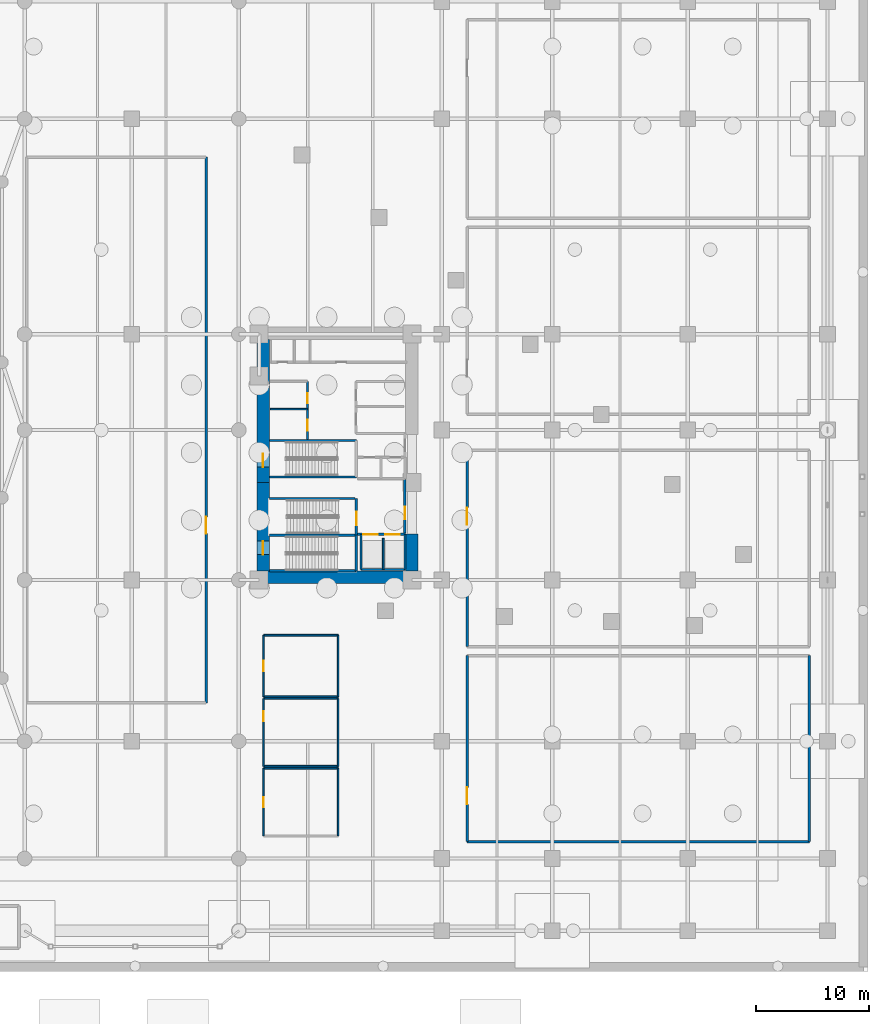
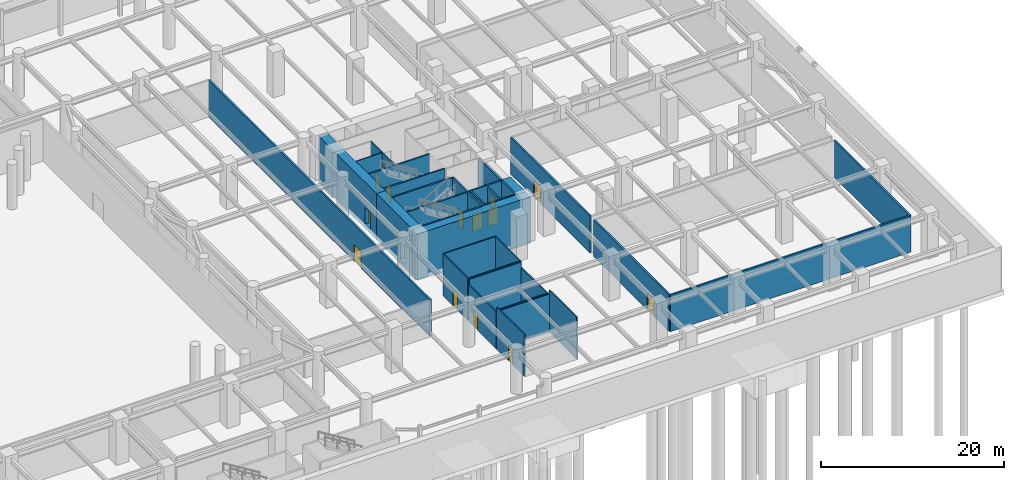
# One storey, part 20 of 37: 35 walls, 14 doors, 14 openings.
"""IFC4 building model written with IfcOpenShell, lengths in metres."""

from ifc_helpers import new_model, si_unit, direction, frame, frame_2d, origin, place, context, subcontext, project, spatial, rectangle, extrude, material, layer, layer_set, type_object, element, fill, save


model = new_model("IFC4")

# Units and contexts
model_context = context("Model", 3, precision=1e-05, world=origin(), true_north=direction((0.0, 1.0)))
body_context = subcontext(model_context, "Body", "Model", "MODEL_VIEW")
ifc_project = project(units=[si_unit("LENGTHUNIT", "METRE"), si_unit("AREAUNIT", "SQUARE_METRE"), si_unit("VOLUMEUNIT", "CUBIC_METRE"), si_unit("PLANEANGLEUNIT", "RADIAN"), si_unit("MASSUNIT", "GRAM", prefix="KILO")], contexts=[model_context])

# Site, building, storey
site_placement = place(None, origin())
site = spatial("IfcSite", under=ifc_project, at=site_placement, CompositionType="ELEMENT")
building_placement = place(site_placement, origin())
building = spatial("IfcBuilding", under=site, at=building_placement, Name="Narakoshi Arena Tower", CompositionType="ELEMENT")
storey_placement = place(building_placement, frame((0.0, 0.0, -6.0)))
storey = spatial("IfcBuildingStorey", under=building, at=storey_placement, Name="B01", CompositionType="ELEMENT", Elevation=-6.0)

# Wall, opening, door
ifc_material_1 = material(Name="Concrete C40/50", Category="concrete")
ifc_layer_1 = layer(ifc_material_1, 0.219970703125)
ifc_layer_set_1 = layer_set([ifc_layer_1], Name="Concrete C40/50")
wall_type_1 = type_object("IfcWallType", Name="WL-COMP-220", PredefinedType="SOLIDWALL", material=ifc_layer_set_1)
wall_1_placement = place(storey_placement, frame((67.300048828125, 23.800048828125, 0.0), z_axis=(0.0, 0.0, 1.0), x_axis=(0.0, 1.0, 0.0)))
wall_1 = element("IfcWall", 1, at=wall_1_placement, inside=storey, type_object=wall_type_1, Name="B01 Sub-Concourse MEP Equipment Plant Room Wall E", PredefinedType="SOLIDWALL", context=body_context, shape_type="SweptSolid", body=[
    extrude(rectangle(XDim=48.39990234375, YDim=0.219970703125, at=frame_2d((24.199951171875, 0.0))), origin(), (0.0, 0.0, 1.0), 4.885009765625),
])
opening_1_placement = place(wall_1_placement, frame((15.008056640625, 0.0, 0.0)))
opening_1 = element("IfcOpeningElement", 2, at=opening_1_placement, cuts=wall_1, Name="Opening D-09", PredefinedType="OPENING", context=body_context, shape_type="SweptSolid", body=[
    extrude(rectangle(XDim=1.5, YDim=2.25, at=frame_2d((0.75, 1.125))), frame((0.0, 0.119873046875, 0.0), z_axis=(0.0, -1.0, 0.0), x_axis=(1.0, 0.0, 0.0)), (0.0, 0.0, 1.0), 0.239990234375),
])
ifc_material_2 = material(Name="Painted galvanized steel", Category="steel")
door_type_1 = type_object("IfcDoorType", Name="DR-PLT-1500", OperationType="DOUBLE_DOOR_SINGLE_SWING", PredefinedType="DOOR", material=ifc_material_2)
door_1_placement = place(opening_1_placement, frame((1.5, 0.0, 0.0), z_axis=(0.0, 0.0, 1.0), x_axis=(-1.0, 0.0, 0.0)))
door_1 = element("IfcDoor", 3, at=door_1_placement, inside=storey, type_object=door_type_1, Name="DR-B01-028", OperationType="DOUBLE_DOOR_SINGLE_SWING", OverallHeight=2.25, OverallWidth=1.5, PredefinedType="DOOR", context=body_context, shape_type="SweptSolid", body=[
    extrude(rectangle(XDim=1.5, YDim=2.25, at=frame_2d((0.75, 1.125))), frame((0.0, 0.02490234375, 0.0), z_axis=(0.0, -1.0, 0.0), x_axis=(1.0, 0.0, 0.0)), (0.0, 0.0, 1.0), 0.050048828125),
])
fill(opening_1, door_1)

# Walls
wall_2_placement = place(storey_placement, frame((90.449951171875, 11.5, 0.0), z_axis=(0.0, 0.0, 1.0), x_axis=(1.0, 0.0, 0.0)))
element("IfcWall", 4, at=wall_2_placement, inside=storey, type_object=wall_type_1, Name="B01 Central Chiller and Cooling Plant Room Wall S", PredefinedType="SOLIDWALL", context=body_context, shape_type="SweptSolid", body=[
    extrude(rectangle(XDim=30.35009765625, YDim=0.219970703125, at=frame_2d((15.175048828125, 0.0))), origin(), (0.0, 0.0, 1.0), 4.885009765625),
])
wall_3_placement = place(storey_placement, frame((120.800048828125, 11.5, 0.0), z_axis=(0.0, 0.0, 1.0), x_axis=(0.0, 1.0, 0.0)))
element("IfcWall", 5, at=wall_3_placement, inside=storey, type_object=wall_type_1, Name="B01 Central Chiller and Cooling Plant Room Wall E", PredefinedType="SOLIDWALL", context=body_context, shape_type="SweptSolid", body=[
    extrude(rectangle(XDim=16.5, YDim=0.219970703125, at=frame_2d((8.25, 0.0))), origin(), (0.0, 0.0, 1.0), 4.885009765625),
])

# Wall, opening, door
wall_4_placement = place(storey_placement, frame((90.449951171875, 28.0, 0.0), z_axis=(0.0, 0.0, 1.0), x_axis=(0.0, -1.0, 0.0)))
wall_4 = element("IfcWall", 6, at=wall_4_placement, inside=storey, type_object=wall_type_1, Name="B01 Central Chiller and Cooling Plant Room Wall W", PredefinedType="SOLIDWALL", context=body_context, shape_type="SweptSolid", body=[
    extrude(rectangle(XDim=16.5, YDim=0.219970703125, at=frame_2d((8.25, 0.0))), origin(), (0.0, 0.0, 1.0), 4.885009765625),
])
opening_2_placement = place(wall_4_placement, frame((11.699951171875, 0.0, 0.0)))
opening_2 = element("IfcOpeningElement", 7, at=opening_2_placement, cuts=wall_4, Name="Opening D-09", PredefinedType="OPENING", context=body_context, shape_type="SweptSolid", body=[
    extrude(rectangle(XDim=1.5, YDim=2.25, at=frame_2d((0.75, 1.125))), frame((0.0, 0.119873046875, 0.0), z_axis=(0.0, -1.0, 0.0), x_axis=(1.0, 0.0, 0.0)), (0.0, 0.0, 1.0), 0.239990234375),
])
door_2_placement = place(opening_2_placement, frame((1.5, 0.0, 0.0), z_axis=(0.0, 0.0, 1.0), x_axis=(-1.0, 0.0, 0.0)))
door_2 = element("IfcDoor", 8, at=door_2_placement, inside=storey, type_object=door_type_1, Name="DR-B01-029", OperationType="DOUBLE_DOOR_SINGLE_SWING", OverallHeight=2.25, OverallWidth=1.5, PredefinedType="DOOR", context=body_context, shape_type="SweptSolid", body=[
    extrude(rectangle(XDim=1.5, YDim=2.25, at=frame_2d((0.75, 1.125))), frame((0.0, 0.02490234375, 0.0), z_axis=(0.0, -1.0, 0.0), x_axis=(1.0, 0.0, 0.0)), (0.0, 0.0, 1.0), 0.050048828125),
])
fill(opening_2, door_2)

wall_5_placement = place(storey_placement, frame((90.449951171875, 46.199951171875, 0.0), z_axis=(0.0, 0.0, 1.0), x_axis=(0.0, -1.0, 0.0)))
wall_5 = element("IfcWall", 9, at=wall_5_placement, inside=storey, type_object=wall_type_1, Name="B01 Fire and Domestic Water Tank Pump Room Wall W", PredefinedType="SOLIDWALL", context=body_context, shape_type="SweptSolid", body=[
    extrude(rectangle(XDim=17.39990234375, YDim=0.219970703125, at=frame_2d((8.699951171875, 0.0))), origin(), (0.0, 0.0, 1.0), 4.885009765625),
])
opening_3_placement = place(wall_5_placement, frame((5.087890625, 0.0, 0.0)))
opening_3 = element("IfcOpeningElement", 10, at=opening_3_placement, cuts=wall_5, Name="Opening D-09", PredefinedType="OPENING", context=body_context, shape_type="SweptSolid", body=[
    extrude(rectangle(XDim=1.5, YDim=2.25, at=frame_2d((0.75, 1.125))), frame((0.0, 0.119873046875, 0.0), z_axis=(0.0, -1.0, 0.0), x_axis=(1.0, 0.0, 0.0)), (0.0, 0.0, 1.0), 0.239990234375),
])
door_3_placement = place(opening_3_placement, frame((1.5, 0.0, 0.0), z_axis=(0.0, 0.0, 1.0), x_axis=(-1.0, 0.0, 0.0)))
door_3 = element("IfcDoor", 11, at=door_3_placement, inside=storey, type_object=door_type_1, Name="DR-B01-030", OperationType="DOUBLE_DOOR_SINGLE_SWING", OverallHeight=2.25, OverallWidth=1.5, PredefinedType="DOOR", context=body_context, shape_type="SweptSolid", body=[
    extrude(rectangle(XDim=1.5, YDim=2.25, at=frame_2d((0.75, 1.125))), frame((0.0, 0.02490234375, 0.0), z_axis=(0.0, -1.0, 0.0), x_axis=(1.0, 0.0, 0.0)), (0.0, 0.0, 1.0), 0.050048828125),
])
fill(opening_3, door_3)

ifc_material_3 = material(Name="Concrete C60/75", Category="concrete")
ifc_layer_2 = layer(ifc_material_3, 1.10009765625)
ifc_layer_set_2 = layer_set([ifc_layer_2], Name="Concrete C60/75")
wall_type_2 = type_object("IfcWallType", Name="WL-CORE-1100", PredefinedType="SHEAR", material=ifc_layer_set_2)
wall_6_placement = place(storey_placement, frame((72.35009765625, 35.5, -0.60009765625), z_axis=(0.0, 0.0, 1.0), x_axis=(0.0, 1.0, 0.0)))
wall_6 = element("IfcWall", 12, at=wall_6_placement, inside=storey, type_object=wall_type_2, Name="B01 Central Core Shear Wall CW-APX-W", PredefinedType="SHEAR", context=body_context, shape_type="SweptSolid", body=[
    extrude(rectangle(XDim=7.85009765625, YDim=1.10009765625, at=frame_2d((3.925048828125, 0.0))), origin(), (0.0, 0.0, 1.0), 6.2001953125),
])
opening_4_placement = place(wall_6_placement, frame((1.449951171875, 0.0, 0.60009765625)))
opening_4 = element("IfcOpeningElement", 13, at=opening_4_placement, cuts=wall_6, Name="Opening D-03", PredefinedType="OPENING", context=body_context, shape_type="SweptSolid", body=[
    extrude(rectangle(XDim=1.199951171875, YDim=2.199951171875, at=frame_2d((0.60009765625, 1.10009765625))), frame((0.0, 0.56005859375, 0.0), z_axis=(0.0, -1.0, 0.0), x_axis=(1.0, 0.0, 0.0)), (0.0, 0.0, 1.0), 1.1201171875),
])
door_type_2 = type_object("IfcDoorType", Name="DR-STR-1200", OperationType="NOTDEFINED", PredefinedType="USERDEFINED", material=ifc_material_2)
door_4_placement = place(opening_4_placement, frame((1.199951171875, 0.0, 0.0), z_axis=(0.0, 0.0, 1.0), x_axis=(-1.0, 0.0, 0.0)))
door_4 = element("IfcDoor", 14, at=door_4_placement, inside=storey, type_object=door_type_2, Name="DR-B01-001", ObjectType="EXITDOOR", OperationType="SINGLE_SWING_LEFT", OverallHeight=2.199951171875, OverallWidth=1.199951171875, PredefinedType="USERDEFINED", context=body_context, shape_type="SweptSolid", body=[
    extrude(rectangle(XDim=1.199951171875, YDim=2.199951171875, at=frame_2d((0.60009765625, 1.10009765625))), frame((0.0, 0.02490234375, 0.0), z_axis=(0.0, -1.0, 0.0), x_axis=(1.0, 0.0, 0.0)), (0.0, 0.0, 1.0), 0.050048828125),
])
fill(opening_4, door_4)

# Walls
wall_7_placement = place(storey_placement, frame((71.800048828125, 34.949951171875, -0.60009765625), z_axis=(0.0, 0.0, 1.0), x_axis=(1.0, 0.0, 0.0)))
element("IfcWall", 15, at=wall_7_placement, inside=storey, type_object=wall_type_2, Name="B01 Central Core Shear Wall CW-APX-S", PredefinedType="SHEAR", context=body_context, shape_type="SweptSolid", body=[
    extrude(rectangle(XDim=14.300048828125, YDim=1.10009765625, at=frame_2d((7.14990234375, 0.0))), origin(), (0.0, 0.0, 1.0), 6.2001953125),
])
wall_8_placement = place(storey_placement, frame((85.550048828125, 35.5, -0.60009765625), z_axis=(0.0, 0.0, 1.0), x_axis=(0.0, 1.0, 0.0)))
element("IfcWall", 16, at=wall_8_placement, inside=storey, type_object=wall_type_2, Name="B01 Central Core Shear Wall CW-APX-E", PredefinedType="SHEAR", context=body_context, shape_type="SweptSolid", body=[
    extrude(rectangle(XDim=3.300048828125, YDim=1.10009765625, at=frame_2d((1.64990234375, 0.0))), origin(), (0.0, 0.0, 1.0), 6.2001953125),
])

# Wall, opening, door
wall_9_placement = place(storey_placement, frame((72.35009765625, 43.35009765625, -0.60009765625), z_axis=(0.0, 0.0, 1.0), x_axis=(0.0, 1.0, 0.0)))
wall_9 = element("IfcWall", 17, at=wall_9_placement, inside=storey, type_object=wall_type_2, Name="B01 Main Core Shear Wall CW-MN-W", PredefinedType="SHEAR", context=body_context, shape_type="SweptSolid", body=[
    extrude(rectangle(XDim=12.699951171875, YDim=1.10009765625, at=frame_2d((6.35009765625, 0.0))), origin(), (0.0, 0.0, 1.0), 6.2001953125),
])
opening_5_placement = place(wall_9_placement, frame((1.35009765625, 0.0, 0.60009765625)))
opening_5 = element("IfcOpeningElement", 18, at=opening_5_placement, cuts=wall_9, Name="Opening D-03", PredefinedType="OPENING", context=body_context, shape_type="SweptSolid", body=[
    extrude(rectangle(XDim=1.199951171875, YDim=2.199951171875, at=frame_2d((0.60009765625, 1.10009765625))), frame((0.0, 0.56005859375, 0.0), z_axis=(0.0, -1.0, 0.0), x_axis=(1.0, 0.0, 0.0)), (0.0, 0.0, 1.0), 1.1201171875),
])
door_5_placement = place(opening_5_placement, frame((1.199951171875, 0.0, 0.0), z_axis=(0.0, 0.0, 1.0), x_axis=(-1.0, 0.0, 0.0)))
door_5 = element("IfcDoor", 19, at=door_5_placement, inside=storey, type_object=door_type_2, Name="DR-B01-006", ObjectType="EXITDOOR", OperationType="SINGLE_SWING_LEFT", OverallHeight=2.199951171875, OverallWidth=1.199951171875, PredefinedType="USERDEFINED", context=body_context, shape_type="SweptSolid", body=[
    extrude(rectangle(XDim=1.199951171875, YDim=2.199951171875, at=frame_2d((0.60009765625, 1.10009765625))), frame((0.0, 0.02490234375, 0.0), z_axis=(0.0, -1.0, 0.0), x_axis=(1.0, 0.0, 0.0)), (0.0, 0.0, 1.0), 0.050048828125),
])
fill(opening_5, door_5)

# Walls
ifc_material_4 = material(Name="Gypsum plasterboard fire-rated partition")
ifc_layer_3 = layer(ifc_material_4, 0.125)
ifc_layer_set_3 = layer_set([ifc_layer_3], Name="Gypsum plasterboard fire-rated partition")
wall_type_3 = type_object("IfcWallType", Name="WL-PART-125", PredefinedType="PARTITIONING", material=ifc_layer_set_3)
wall_10_placement = place(storey_placement, frame((73.0, 49.85009765625, 0.0), z_axis=(0.0, 0.0, 1.0), x_axis=(1.0, 0.0, 0.0)))
element("IfcWall", 20, at=wall_10_placement, inside=storey, type_object=wall_type_3, Name="B01 Core Wall RCL-LR-D0", PredefinedType="PARTITIONING", context=body_context, shape_type="SweptSolid", body=[
    extrude(rectangle(XDim=3.280029296875, YDim=0.125, at=frame_2d((1.64013671875, 0.0))), origin(), (0.0, 0.0, 1.0), 5.60009765625),
])
ifc_layer_4 = layer(ifc_material_1, 0.280029296875)
ifc_layer_set_4 = layer_set([ifc_layer_4], Name="Concrete C40/50")
wall_type_4 = type_object("IfcWallType", Name="WL-RISER-280", PredefinedType="PLUMBINGWALL", material=ifc_layer_set_4)
wall_11_placement = place(storey_placement, frame((83.0, 35.64990234375, 0.0), z_axis=(0.0, 0.0, 1.0), x_axis=(0.0, 1.0, 0.0)))
element("IfcWall", 21, at=wall_11_placement, inside=storey, type_object=wall_type_4, Name="B01 Core Wall FF-DIV", PredefinedType="PLUMBINGWALL", context=body_context, shape_type="SweptSolid", body=[
    extrude(rectangle(XDim=2.75, YDim=0.159912109375, at=frame_2d((1.375, 0.0))), origin(), (0.0, 0.0, 1.0), 5.60009765625),
])
ifc_material_5 = material(Name="Concrete C50/60", Category="concrete")
ifc_layer_5 = layer(ifc_material_5, 0.35009765625)
ifc_layer_set_5 = layer_set([ifc_layer_5], Name="Concrete C50/60")
wall_type_5 = type_object("IfcWallType", Name="WL-SHAFT-350", PredefinedType="SOLIDWALL", material=ifc_layer_set_5)
for number, where, z_axis, x_axis, name in (
    (22, (72.919921875, 35.52001953125, -0.60009765625), (0.0, 0.0, 1.0), (1.0, 0.0, 0.0), "B01 Core Wall ST1-S"),
    (23, (72.919921875, 38.675048828125, -0.60009765625), (0.0, 0.0, 1.0), (1.0, 0.0, 0.0), "B01 Core Wall ST12-DIV"),
):
    element("IfcWall", number, at=place(storey_placement, frame(where, z_axis=z_axis, x_axis=x_axis)), inside=storey, type_object=wall_type_5, Name=name, PredefinedType="SOLIDWALL", context=body_context, shape_type="SweptSolid", body=[
        extrude(rectangle(XDim=7.7001953125, YDim=0.199951171875, at=frame_2d((3.85009765625, 0.0))), origin(), (0.0, 0.0, 1.0), 6.2001953125),
    ])
wall_12_placement = place(storey_placement, frame((80.6201171875, 35.52001953125, -0.60009765625), z_axis=(0.0, 0.0, 1.0), x_axis=(0.0, 1.0, 0.0)))
element("IfcWall", 24, at=wall_12_placement, inside=storey, type_object=wall_type_5, Name="B01 Core Wall ST1-E", PredefinedType="SOLIDWALL", context=body_context, shape_type="SweptSolid", body=[
    extrude(rectangle(XDim=3.155029296875, YDim=0.199951171875, at=frame_2d((1.57763671875, 0.0))), origin(), (0.0, 0.0, 1.0), 6.2001953125),
])

# Wall, opening, door
wall_13_placement = place(storey_placement, frame((80.6201171875, 38.675048828125, -0.60009765625), z_axis=(0.0, 0.0, 1.0), x_axis=(0.0, 1.0, 0.0)))
wall_13 = element("IfcWall", 25, at=wall_13_placement, inside=storey, type_object=wall_type_5, Name="B01 Core Wall ST2-E", PredefinedType="SOLIDWALL", context=body_context, shape_type="SweptSolid", body=[
    extrude(rectangle(XDim=3.244873046875, YDim=0.199951171875, at=frame_2d((1.62255859375, 0.0))), origin(), (0.0, 0.0, 1.0), 6.2001953125),
])
opening_6_placement = place(wall_13_placement, frame((0.89990234375, 0.0, 0.60009765625)))
opening_6 = element("IfcOpeningElement", 26, at=opening_6_placement, cuts=wall_13, Name="Opening D-03", PredefinedType="OPENING", context=body_context, shape_type="SweptSolid", body=[
    extrude(rectangle(XDim=1.199951171875, YDim=2.199951171875, at=frame_2d((0.60009765625, 1.10009765625))), frame((0.0, 0.10986328125, 0.0), z_axis=(0.0, -1.0, 0.0), x_axis=(1.0, 0.0, 0.0)), (0.0, 0.0, 1.0), 0.219970703125),
])
door_6_placement = place(opening_6_placement, origin())
door_6 = element("IfcDoor", 27, at=door_6_placement, inside=storey, type_object=door_type_2, Name="DR-B01-002", ObjectType="EXITDOOR", OperationType="SINGLE_SWING_RIGHT", OverallHeight=2.199951171875, OverallWidth=1.199951171875, PredefinedType="USERDEFINED", context=body_context, shape_type="SweptSolid", body=[
    extrude(rectangle(XDim=1.199951171875, YDim=2.199951171875, at=frame_2d((0.60009765625, 1.10009765625))), frame((0.0, 0.02490234375, 0.0), z_axis=(0.0, -1.0, 0.0), x_axis=(1.0, 0.0, 0.0)), (0.0, 0.0, 1.0), 0.050048828125),
])
fill(opening_6, door_6)

# Wall, openings, doors
wall_14_placement = place(storey_placement, frame((80.719970703125, 38.75, 0.0), z_axis=(0.0, 0.0, 1.0), x_axis=(1.0, 0.0, 0.0)))
wall_14 = element("IfcWall", 28, at=wall_14_placement, inside=storey, type_object=wall_type_5, Name="B01 Core Wall FF-N", PredefinedType="SOLIDWALL", context=body_context, shape_type="SweptSolid", body=[
    extrude(rectangle(XDim=4.260009765625, YDim=0.199951171875, at=frame_2d((2.1298828125, 0.0))), origin(), (0.0, 0.0, 1.0), 5.60009765625),
])
opening_7_placement = place(wall_14_placement, frame((0.5, 0.0, 0.0)))
opening_7 = element("IfcOpeningElement", 29, at=opening_7_placement, cuts=wall_14, Name="Opening LD-02", PredefinedType="OPENING", context=body_context, shape_type="SweptSolid", body=[
    extrude(rectangle(XDim=1.300048828125, YDim=2.300048828125, at=frame_2d((0.64990234375, 1.14990234375))), frame((0.0, 0.10986328125, 0.0), z_axis=(0.0, -1.0, 0.0), x_axis=(1.0, 0.0, 0.0)), (0.0, 0.0, 1.0), 0.219970703125),
])
opening_8_placement = place(wall_14_placement, frame((2.449951171875, 0.0, 0.0)))
opening_8 = element("IfcOpeningElement", 30, at=opening_8_placement, cuts=wall_14, Name="Opening LD-02", PredefinedType="OPENING", context=body_context, shape_type="SweptSolid", body=[
    extrude(rectangle(XDim=1.300048828125, YDim=2.300048828125, at=frame_2d((0.64990234375, 1.14990234375))), frame((0.0, 0.10986328125, 0.0), z_axis=(0.0, -1.0, 0.0), x_axis=(1.0, 0.0, 0.0)), (0.0, 0.0, 1.0), 0.219970703125),
])
ifc_material_6 = material(Name="Brushed bronze stainless steel", Category="steel")
door_type_3 = type_object("IfcDoorType", Name="DR-LFT-1300", OperationType="DOUBLE_DOOR_SLIDING", PredefinedType="DOOR", material=ifc_material_6)
door_7_placement = place(opening_7_placement, origin())
door_7 = element("IfcDoor", 31, at=door_7_placement, inside=storey, type_object=door_type_3, Name="DR-B01-003", OperationType="DOUBLE_DOOR_SLIDING", OverallHeight=2.300048828125, OverallWidth=1.300048828125, PredefinedType="DOOR", context=body_context, shape_type="SweptSolid", body=[
    extrude(rectangle(XDim=1.300048828125, YDim=2.300048828125, at=frame_2d((0.64990234375, 1.14990234375))), frame((0.0, 0.02490234375, 0.0), z_axis=(0.0, -1.0, 0.0), x_axis=(1.0, 0.0, 0.0)), (0.0, 0.0, 1.0), 0.050048828125),
])
fill(opening_7, door_7)
door_8_placement = place(opening_8_placement, origin())
door_8 = element("IfcDoor", 32, at=door_8_placement, inside=storey, type_object=door_type_3, Name="DR-B01-004", OperationType="DOUBLE_DOOR_SLIDING", OverallHeight=2.300048828125, OverallWidth=1.300048828125, PredefinedType="DOOR", context=body_context, shape_type="SweptSolid", body=[
    extrude(rectangle(XDim=1.300048828125, YDim=2.300048828125, at=frame_2d((0.64990234375, 1.14990234375))), frame((0.0, 0.02490234375, 0.0), z_axis=(0.0, -1.0, 0.0), x_axis=(1.0, 0.0, 0.0)), (0.0, 0.0, 1.0), 0.050048828125),
])
fill(opening_8, door_8)

# Walls
for number, where, z_axis, x_axis, name in (
    (33, (84.949951171875, 35.64990234375, 0.0), (0.0, 0.0, 1.0), (0.0, 1.0, 0.0), "B01 Core Wall FF-E"),
    (34, (81.02001953125, 35.64990234375, 0.0), (0.0, 0.0, 1.0), (0.0, 1.0, 0.0), "B01 Core Wall FF-W"),
):
    element("IfcWall", number, at=place(storey_placement, frame(where, z_axis=z_axis, x_axis=x_axis)), inside=storey, type_object=wall_type_5, Name=name, PredefinedType="SOLIDWALL", context=body_context, shape_type="SweptSolid", body=[
        extrude(rectangle(XDim=3.10009765625, YDim=0.179931640625, at=frame_2d((1.550048828125, 0.0))), origin(), (0.0, 0.0, 1.0), 5.60009765625),
    ])
wall_15_placement = place(storey_placement, frame((81.02001953125, 35.64990234375, 0.0), z_axis=(0.0, 0.0, 1.0), x_axis=(1.0, 0.0, 0.0)))
element("IfcWall", 35, at=wall_15_placement, inside=storey, type_object=wall_type_5, Name="B01 Core Wall FF-S", PredefinedType="SOLIDWALL", context=body_context, shape_type="SweptSolid", body=[
    extrude(rectangle(XDim=3.929931640625, YDim=0.179931640625, at=frame_2d((1.96484375, 0.0))), origin(), (0.0, 0.0, 1.0), 5.60009765625),
])

# Wall, opening, door
wall_16_placement = place(storey_placement, frame((84.919921875, 38.85009765625, 0.0), z_axis=(0.0, 0.0, 1.0), x_axis=(0.0, 1.0, 0.0)))
wall_16 = element("IfcWall", 36, at=wall_16_placement, inside=storey, type_object=wall_type_5, Name="B01 Core Wall FFLOB-E", PredefinedType="SOLIDWALL", context=body_context, shape_type="SweptSolid", body=[
    extrude(rectangle(XDim=4.829833984375, YDim=0.199951171875, at=frame_2d((2.4150390625, 0.0))), origin(), (0.0, 0.0, 1.0), 5.60009765625),
])
opening_9_placement = place(wall_16_placement, frame((1.25, 0.0, 0.0)))
opening_9 = element("IfcOpeningElement", 37, at=opening_9_placement, cuts=wall_16, Name="Opening D-04", PredefinedType="OPENING", context=body_context, shape_type="SweptSolid", body=[
    extrude(rectangle(XDim=1.10009765625, YDim=2.199951171875, at=frame_2d((0.550048828125, 1.10009765625))), frame((0.0, 0.10986328125, 0.0), z_axis=(0.0, -1.0, 0.0), x_axis=(1.0, 0.0, 0.0)), (0.0, 0.0, 1.0), 0.219970703125),
])
door_type_4 = type_object("IfcDoorType", Name="DR-FFL-1100", OperationType="NOTDEFINED", PredefinedType="DOOR", material=ifc_material_2)
door_9_placement = place(opening_9_placement, frame((1.10009765625, 0.0, 0.0), z_axis=(0.0, 0.0, 1.0), x_axis=(-1.0, 0.0, 0.0)))
door_9 = element("IfcDoor", 38, at=door_9_placement, inside=storey, type_object=door_type_4, Name="DR-B01-005", OperationType="SINGLE_SWING_RIGHT", OverallHeight=2.199951171875, OverallWidth=1.10009765625, PredefinedType="DOOR", context=body_context, shape_type="SweptSolid", body=[
    extrude(rectangle(XDim=1.10009765625, YDim=2.199951171875, at=frame_2d((0.550048828125, 1.10009765625))), frame((0.0, 0.02490234375, 0.0), z_axis=(0.0, -1.0, 0.0), x_axis=(1.0, 0.0, 0.0)), (0.0, 0.0, 1.0), 0.050048828125),
])
fill(opening_9, door_9)

# Walls
wall_17_placement = place(storey_placement, frame((72.919921875, 41.919921875, -0.60009765625), z_axis=(0.0, 0.0, 1.0), x_axis=(1.0, 0.0, 0.0)))
element("IfcWall", 39, at=wall_17_placement, inside=storey, type_object=wall_type_5, Name="B01 Core Wall ST2-N", PredefinedType="SOLIDWALL", context=body_context, shape_type="SweptSolid", body=[
    extrude(rectangle(XDim=7.580078125, YDim=0.199951171875, at=frame_2d((3.7900390625, 0.0))), origin(), (0.0, 0.0, 1.0), 6.2001953125),
])
for number, where, z_axis, x_axis, name in (
    (40, (72.919921875, 43.830078125, -0.60009765625), (0.0, 0.0, 1.0), (1.0, 0.0, 0.0), "B01 Core Wall ST3-S"),
    (41, (72.919921875, 47.070068359375, -0.60009765625), (0.0, 0.0, 1.0), (1.0, 0.0, 0.0), "B01 Core Wall ST3-N"),
):
    element("IfcWall", number, at=place(storey_placement, frame(where, z_axis=z_axis, x_axis=x_axis)), inside=storey, type_object=wall_type_5, Name=name, PredefinedType="SOLIDWALL", context=body_context, shape_type="SweptSolid", body=[
        extrude(rectangle(XDim=7.7001953125, YDim=0.199951171875, at=frame_2d((3.85009765625, 0.0))), origin(), (0.0, 0.0, 1.0), 6.2001953125),
    ])

# Wall, openings, doors
wall_18_placement = place(storey_placement, frame((76.280029296875, 47.179931640625, 0.0), z_axis=(0.0, 0.0, 1.0), x_axis=(0.0, 1.0, 0.0)))
wall_18 = element("IfcWall", 42, at=wall_18_placement, inside=storey, type_object=wall_type_5, Name="B01 Core Wall LR-E", PredefinedType="SOLIDWALL", context=body_context, shape_type="SweptSolid", body=[
    extrude(rectangle(XDim=5.14013671875, YDim=0.159912109375, at=frame_2d((2.570068359375, 0.0))), origin(), (0.0, 0.0, 1.0), 5.60009765625),
])
opening_10_placement = place(wall_18_placement, frame((0.75, 0.0, 0.0)))
opening_10 = element("IfcOpeningElement", 43, at=opening_10_placement, cuts=wall_18, Name="Opening D-06", PredefinedType="OPENING", context=body_context, shape_type="SweptSolid", body=[
    extrude(rectangle(XDim=1.0, YDim=2.199951171875, at=frame_2d((0.5, 1.10009765625))), frame((0.0, 0.08984375, 0.0), z_axis=(0.0, -1.0, 0.0), x_axis=(1.0, 0.0, 0.0)), (0.0, 0.0, 1.0), 0.179931640625),
])
opening_11_placement = place(wall_18_placement, frame((3.199951171875, 0.0, 0.0)))
opening_11 = element("IfcOpeningElement", 44, at=opening_11_placement, cuts=wall_18, Name="Opening D-08", PredefinedType="OPENING", context=body_context, shape_type="SweptSolid", body=[
    extrude(rectangle(XDim=0.89990234375, YDim=2.10009765625, at=frame_2d((0.449951171875, 1.050048828125))), frame((0.0, 0.08984375, 0.0), z_axis=(0.0, -1.0, 0.0), x_axis=(1.0, 0.0, 0.0)), (0.0, 0.0, 1.0), 0.179931640625),
])
ifc_material_7 = material(Name="Stained oak solid-core timber", Category="wood")
door_type_5 = type_object("IfcDoorType", Name="DR-OFF-1000", OperationType="NOTDEFINED", PredefinedType="DOOR", material=ifc_material_7)
door_10_placement = place(opening_10_placement, frame((1.0, 0.0, 0.0), z_axis=(0.0, 0.0, 1.0), x_axis=(-1.0, 0.0, 0.0)))
door_10 = element("IfcDoor", 45, at=door_10_placement, inside=storey, type_object=door_type_5, Name="DR-B01-010", OperationType="SINGLE_SWING_LEFT", OverallHeight=2.199951171875, OverallWidth=1.0, PredefinedType="DOOR", context=body_context, shape_type="SweptSolid", body=[
    extrude(rectangle(XDim=1.0, YDim=2.199951171875, at=frame_2d((0.5, 1.10009765625))), frame((0.0, 0.02490234375, 0.0), z_axis=(0.0, -1.0, 0.0), x_axis=(1.0, 0.0, 0.0)), (0.0, 0.0, 1.0), 0.050048828125),
])
fill(opening_10, door_10)
ifc_material_8 = material(Name="Moisture-resistant laminate timber", Category="wood")
door_type_6 = type_object("IfcDoorType", Name="DR-WC-900", OperationType="NOTDEFINED", PredefinedType="DOOR", material=ifc_material_8)
door_11_placement = place(opening_11_placement, frame((0.89990234375, 0.0, 0.0), z_axis=(0.0, 0.0, 1.0), x_axis=(-1.0, 0.0, 0.0)))
door_11 = element("IfcDoor", 46, at=door_11_placement, inside=storey, type_object=door_type_6, Name="DR-B01-011", OperationType="SINGLE_SWING_RIGHT", OverallHeight=2.10009765625, OverallWidth=0.89990234375, PredefinedType="DOOR", context=body_context, shape_type="SweptSolid", body=[
    extrude(rectangle(XDim=0.89990234375, YDim=2.10009765625, at=frame_2d((0.449951171875, 1.050048828125))), frame((0.0, 0.02490234375, 0.0), z_axis=(0.0, -1.0, 0.0), x_axis=(1.0, 0.0, 0.0)), (0.0, 0.0, 1.0), 0.050048828125),
])
fill(opening_11, door_11)

# Walls
ifc_material_9 = material(Name="Moisture-resistant cement-board partition")
ifc_layer_6 = layer(ifc_material_9, 0.14501953125)
ifc_layer_set_6 = layer_set([ifc_layer_6], Name="Moisture-resistant cement-board partition")
wall_type_6 = type_object("IfcWallType", Name="WL-WET-145", PredefinedType="PARTITIONING", material=ifc_layer_set_6)
wall_19_placement = place(storey_placement, frame((79.0, 12.0, 0.0), z_axis=(0.0, 0.0, 1.0), x_axis=(0.0, 1.0, 0.0)))
element("IfcWall", 47, at=wall_19_placement, inside=storey, type_object=wall_type_6, Name="B01 Staff Male Restroom WC Wall E", PredefinedType="PARTITIONING", context=body_context, shape_type="SweptSolid", body=[
    extrude(rectangle(XDim=6.0, YDim=0.14501953125, at=frame_2d((3.0, 0.0))), origin(), (0.0, 0.0, 1.0), 5.60009765625),
])
wall_20_placement = place(storey_placement, frame((79.0, 18.0, 0.0), z_axis=(0.0, 0.0, 1.0), x_axis=(-1.0, 0.0, 0.0)))
element("IfcWall", 48, at=wall_20_placement, inside=storey, type_object=wall_type_6, Name="B01 Staff Male Restroom WC Wall N", PredefinedType="PARTITIONING", context=body_context, shape_type="SweptSolid", body=[
    extrude(rectangle(XDim=6.60009765625, YDim=0.14501953125, at=frame_2d((3.300048828125, 0.0))), origin(), (0.0, 0.0, 1.0), 5.0849609375),
])

# Wall, opening, door
wall_21_placement = place(storey_placement, frame((72.39990234375, 18.0, 0.0), z_axis=(0.0, 0.0, 1.0), x_axis=(0.0, -1.0, 0.0)))
wall_21 = element("IfcWall", 49, at=wall_21_placement, inside=storey, type_object=wall_type_6, Name="B01 Staff Male Restroom WC Wall W", PredefinedType="PARTITIONING", context=body_context, shape_type="SweptSolid", body=[
    extrude(rectangle(XDim=6.0, YDim=0.14501953125, at=frame_2d((3.0, 0.0))), origin(), (0.0, 0.0, 1.0), 5.60009765625),
])
opening_12_placement = place(wall_21_placement, frame((2.550048828125, 0.0, 0.0)))
opening_12 = element("IfcOpeningElement", 50, at=opening_12_placement, cuts=wall_21, Name="Opening D-08", PredefinedType="OPENING", context=body_context, shape_type="SweptSolid", body=[
    extrude(rectangle(XDim=0.89990234375, YDim=2.10009765625, at=frame_2d((0.449951171875, 1.050048828125))), frame((0.0, 0.08251953125, 0.0), z_axis=(0.0, -1.0, 0.0), x_axis=(1.0, 0.0, 0.0)), (0.0, 0.0, 1.0), 0.1650390625),
])
door_12_placement = place(opening_12_placement, frame((0.89990234375, 0.0, 0.0), z_axis=(0.0, 0.0, 1.0), x_axis=(-1.0, 0.0, 0.0)))
door_12 = element("IfcDoor", 51, at=door_12_placement, inside=storey, type_object=door_type_6, Name="DR-B01-033", OperationType="SINGLE_SWING_LEFT", OverallHeight=2.10009765625, OverallWidth=0.89990234375, PredefinedType="DOOR", context=body_context, shape_type="SweptSolid", body=[
    extrude(rectangle(XDim=0.89990234375, YDim=2.10009765625, at=frame_2d((0.449951171875, 1.050048828125))), frame((0.0, 0.02490234375, 0.0), z_axis=(0.0, -1.0, 0.0), x_axis=(1.0, 0.0, 0.0)), (0.0, 0.0, 1.0), 0.050048828125),
])
fill(opening_12, door_12)

# Walls
wall_22_placement = place(storey_placement, frame((72.39990234375, 18.179931640625, 0.0), z_axis=(0.0, 0.0, 1.0), x_axis=(1.0, 0.0, 0.0)))
element("IfcWall", 52, at=wall_22_placement, inside=storey, type_object=wall_type_6, Name="B01 Staff Female Restroom WC Wall S", PredefinedType="PARTITIONING", context=body_context, shape_type="SweptSolid", body=[
    extrude(rectangle(XDim=6.60009765625, YDim=0.14501953125, at=frame_2d((3.300048828125, 0.0))), origin(), (0.0, 0.0, 1.0), 5.0849609375),
])
wall_23_placement = place(storey_placement, frame((79.0, 18.179931640625, 0.0), z_axis=(0.0, 0.0, 1.0), x_axis=(0.0, 1.0, 0.0)))
element("IfcWall", 53, at=wall_23_placement, inside=storey, type_object=wall_type_6, Name="B01 Staff Female Restroom WC Wall E", PredefinedType="PARTITIONING", context=body_context, shape_type="SweptSolid", body=[
    extrude(rectangle(XDim=6.0, YDim=0.14501953125, at=frame_2d((3.0, 0.0))), origin(), (0.0, 0.0, 1.0), 4.885009765625),
])
wall_24_placement = place(storey_placement, frame((79.0, 24.179931640625, 0.0), z_axis=(0.0, 0.0, 1.0), x_axis=(-1.0, 0.0, 0.0)))
element("IfcWall", 54, at=wall_24_placement, inside=storey, type_object=wall_type_6, Name="B01 Staff Female Restroom WC Wall N", PredefinedType="PARTITIONING", context=body_context, shape_type="SweptSolid", body=[
    extrude(rectangle(XDim=6.60009765625, YDim=0.14501953125, at=frame_2d((3.300048828125, 0.0))), origin(), (0.0, 0.0, 1.0), 5.60009765625),
])

# Wall, opening, door
wall_25_placement = place(storey_placement, frame((72.39990234375, 24.179931640625, 0.0), z_axis=(0.0, 0.0, 1.0), x_axis=(0.0, -1.0, 0.0)))
wall_25 = element("IfcWall", 55, at=wall_25_placement, inside=storey, type_object=wall_type_6, Name="B01 Staff Female Restroom WC Wall W", PredefinedType="PARTITIONING", context=body_context, shape_type="SweptSolid", body=[
    extrude(rectangle(XDim=6.0, YDim=0.14501953125, at=frame_2d((3.0, 0.0))), origin(), (0.0, 0.0, 1.0), 4.885009765625),
])
opening_13_placement = place(wall_25_placement, frame((1.1220703125, 0.0, 0.0)))
opening_13 = element("IfcOpeningElement", 56, at=opening_13_placement, cuts=wall_25, Name="Opening D-08", PredefinedType="OPENING", context=body_context, shape_type="SweptSolid", body=[
    extrude(rectangle(XDim=0.89990234375, YDim=2.10009765625, at=frame_2d((0.449951171875, 1.050048828125))), frame((0.0, 0.08251953125, 0.0), z_axis=(0.0, -1.0, 0.0), x_axis=(1.0, 0.0, 0.0)), (0.0, 0.0, 1.0), 0.1650390625),
])
door_13_placement = place(opening_13_placement, frame((0.89990234375, 0.0, 0.0), z_axis=(0.0, 0.0, 1.0), x_axis=(-1.0, 0.0, 0.0)))
door_13 = element("IfcDoor", 57, at=door_13_placement, inside=storey, type_object=door_type_6, Name="DR-B01-034", OperationType="SINGLE_SWING_RIGHT", OverallHeight=2.10009765625, OverallWidth=0.89990234375, PredefinedType="DOOR", context=body_context, shape_type="SweptSolid", body=[
    extrude(rectangle(XDim=0.89990234375, YDim=2.10009765625, at=frame_2d((0.449951171875, 1.050048828125))), frame((0.0, 0.02490234375, 0.0), z_axis=(0.0, -1.0, 0.0), x_axis=(1.0, 0.0, 0.0)), (0.0, 0.0, 1.0), 0.050048828125),
])
fill(opening_13, door_13)

# Walls
wall_26_placement = place(storey_placement, frame((72.39990234375, 24.360107421875, 0.0), z_axis=(0.0, 0.0, 1.0), x_axis=(1.0, 0.0, 0.0)))
element("IfcWall", 58, at=wall_26_placement, inside=storey, type_object=wall_type_6, Name="B01 Accessible Restroom WC Wall S", PredefinedType="PARTITIONING", context=body_context, shape_type="SweptSolid", body=[
    extrude(rectangle(XDim=6.60009765625, YDim=0.14501953125, at=frame_2d((3.300048828125, 0.0))), origin(), (0.0, 0.0, 1.0), 5.60009765625),
])
wall_27_placement = place(storey_placement, frame((79.0, 24.360107421875, 0.0), z_axis=(0.0, 0.0, 1.0), x_axis=(0.0, 1.0, 0.0)))
element("IfcWall", 59, at=wall_27_placement, inside=storey, type_object=wall_type_6, Name="B01 Accessible Restroom WC Wall E", PredefinedType="PARTITIONING", context=body_context, shape_type="SweptSolid", body=[
    extrude(rectangle(XDim=5.43994140625, YDim=0.14501953125, at=frame_2d((2.719970703125, 0.0))), origin(), (0.0, 0.0, 1.0), 5.60009765625),
])
wall_28_placement = place(storey_placement, frame((79.0, 29.800048828125, 0.0), z_axis=(0.0, 0.0, 1.0), x_axis=(-1.0, 0.0, 0.0)))
element("IfcWall", 60, at=wall_28_placement, inside=storey, type_object=wall_type_6, Name="B01 Accessible Restroom WC Wall N", PredefinedType="PARTITIONING", context=body_context, shape_type="SweptSolid", body=[
    extrude(rectangle(XDim=6.60009765625, YDim=0.14501953125, at=frame_2d((3.300048828125, 0.0))), origin(), (0.0, 0.0, 1.0), 5.60009765625),
])

# Wall, opening, door
wall_29_placement = place(storey_placement, frame((72.39990234375, 29.800048828125, 0.0), z_axis=(0.0, 0.0, 1.0), x_axis=(0.0, -1.0, 0.0)))
wall_29 = element("IfcWall", 61, at=wall_29_placement, inside=storey, type_object=wall_type_6, Name="B01 Accessible Restroom WC Wall W", PredefinedType="PARTITIONING", context=body_context, shape_type="SweptSolid", body=[
    extrude(rectangle(XDim=5.43994140625, YDim=0.14501953125, at=frame_2d((2.719970703125, 0.0))), origin(), (0.0, 0.0, 1.0), 5.60009765625),
])
opening_14_placement = place(wall_29_placement, frame((2.2451171875, 0.0, 0.0)))
opening_14 = element("IfcOpeningElement", 62, at=opening_14_placement, cuts=wall_29, Name="Opening D-07", PredefinedType="OPENING", context=body_context, shape_type="SweptSolid", body=[
    extrude(rectangle(XDim=0.949951171875, YDim=2.14990234375, at=frame_2d((0.47509765625, 1.074951171875))), frame((0.0, 0.08251953125, 0.0), z_axis=(0.0, -1.0, 0.0), x_axis=(1.0, 0.0, 0.0)), (0.0, 0.0, 1.0), 0.1650390625),
])
door_type_7 = type_object("IfcDoorType", Name="DR-ACC-950", OperationType="NOTDEFINED", PredefinedType="DOOR", material=ifc_material_7)
door_14_placement = place(opening_14_placement, frame((0.949951171875, 0.0, 0.0), z_axis=(0.0, 0.0, 1.0), x_axis=(-1.0, 0.0, 0.0)))
door_14 = element("IfcDoor", 63, at=door_14_placement, inside=storey, type_object=door_type_7, Name="DR-B01-035", OperationType="SINGLE_SWING_LEFT", OverallHeight=2.14990234375, OverallWidth=0.949951171875, PredefinedType="DOOR", context=body_context, shape_type="SweptSolid", body=[
    extrude(rectangle(XDim=0.949951171875, YDim=2.14990234375, at=frame_2d((0.47509765625, 1.074951171875))), frame((0.0, 0.02490234375, 0.0), z_axis=(0.0, -1.0, 0.0), x_axis=(1.0, 0.0, 0.0)), (0.0, 0.0, 1.0), 0.050048828125),
])
fill(opening_14, door_14)

save(model, "model.ifc")
